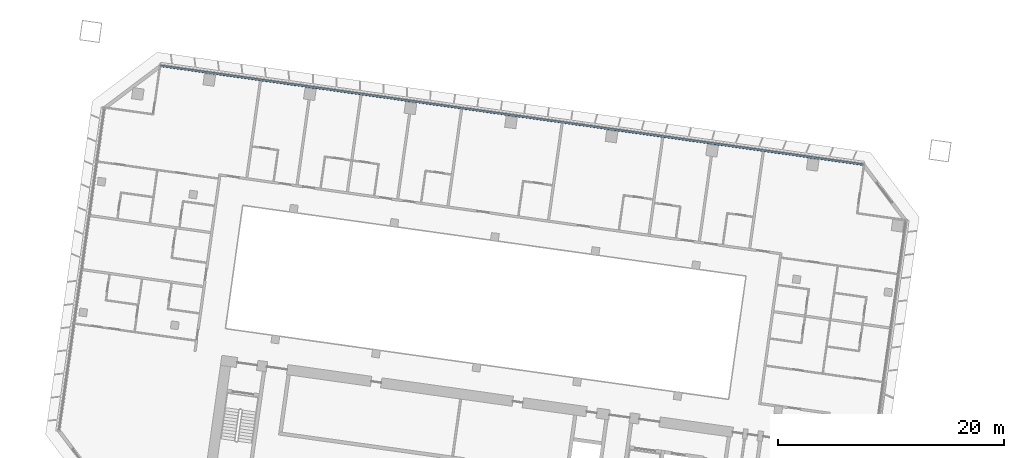
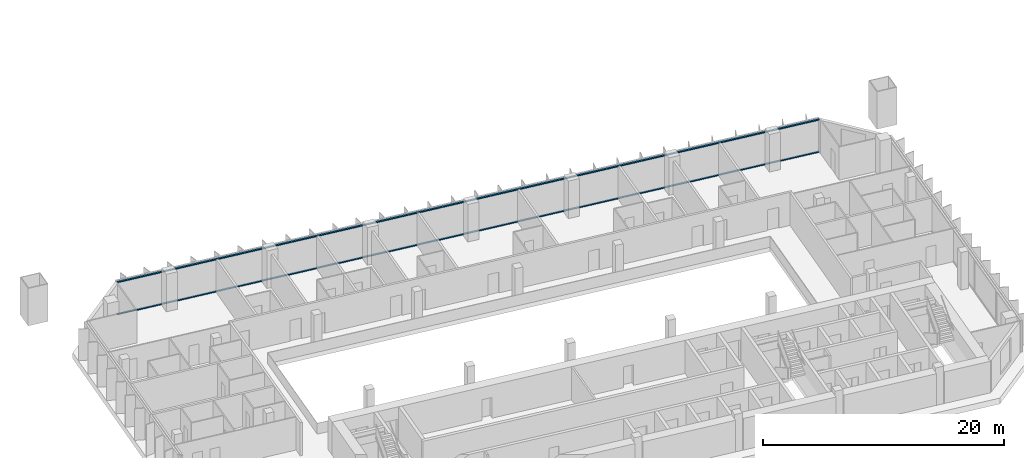
# One storey, part 4 of 25: 2 members, 1 element without a shape of its own.
"""IFC4 building model written with IfcOpenShell, lengths in metres."""

from ifc_helpers import new_model, si_unit, direction, frame, origin, origin_2d, place, context, subcontext, project, spatial, rectangle, extrude, material, material_profile, profile_set, type_object, element, aggregate, save


model = new_model("IFC4")

# Units and contexts
model_context = context("Model", 3, precision=1e-05, world=origin(), true_north=direction((0.0, 1.0)))
body_context = subcontext(model_context, "Body", "Model", "MODEL_VIEW")
ifc_project = project(units=[si_unit("LENGTHUNIT", "METRE"), si_unit("AREAUNIT", "SQUARE_METRE"), si_unit("VOLUMEUNIT", "CUBIC_METRE"), si_unit("PLANEANGLEUNIT", "RADIAN"), si_unit("MASSUNIT", "GRAM", prefix="KILO")], contexts=[model_context])

# Site, building, storey
site_placement = place(None, origin())
site = spatial("IfcSite", under=ifc_project, at=site_placement, CompositionType="ELEMENT")
building_placement = place(site_placement, origin())
building = spatial("IfcBuilding", under=site, at=building_placement, Name="Mirante Cascada Hotel Towers", CompositionType="ELEMENT")
storey_placement = place(building_placement, frame((0.0, 0.0, 73.7)))
storey = spatial("IfcBuildingStorey", under=building, at=storey_placement, Name="L15", CompositionType="ELEMENT", Elevation=73.7)

# Curtain wall, members
ifc_material_1 = material(Name="Aluminium mullion and transom frame with clear laminated glass", Category="aluminium")
curtain_wall_type = type_object("IfcCurtainWallType", Name="Ribbon curtain wall ECW1", PredefinedType="NOTDEFINED", material=ifc_material_1)
curtain_wall_placement = place(storey_placement, origin())
curtain_wall = element("IfcCurtainWall", 1, at=curtain_wall_placement, inside=storey, type_object=curtain_wall_type, Name="Front ribbon wall T1 L15", PredefinedType="NOTDEFINED")
ifc_material_2 = material(Name="Anodised aluminium extrusion", Category="aluminium")
ifc_material_profile = material_profile(ifc_material_2, rectangle(XDim=0.16, YDim=0.1, at=origin_2d()), Name="ECW1 TRANSOM 100x160")
ifc_profile_set = profile_set([ifc_material_profile], Name="Anodised aluminium extrusion")
member_type = type_object("IfcMemberType", Name="ECW1 transom 100x160", PredefinedType="USERDEFINED", material=ifc_profile_set)
member_1_placement = place(storey_placement, frame((-94.1582, 26.0521, 0.05), z_axis=(0.9902681, -0.1391728, 0.0), x_axis=(0.1391728, 0.9902681, 0.0)))
member_1 = element("IfcMember", 2, at=member_1_placement, type_object=member_type, Name="ECW1 sill transom", ObjectType="TRANSOM", PredefinedType="USERDEFINED", context=body_context, shape_type="SweptSolid", body=[
    extrude(rectangle(XDim=0.16, YDim=0.1, at=origin_2d()), origin(), (0.0, 0.0, 1.0), 62.8758),
])
member_2_placement = place(storey_placement, frame((-94.1582, 26.0521, 3.3), z_axis=(0.9902681, -0.1391728, 0.0), x_axis=(0.1391728, 0.9902681, 0.0)))
member_2 = element("IfcMember", 3, at=member_2_placement, type_object=member_type, Name="ECW1 head transom", ObjectType="TRANSOM", PredefinedType="USERDEFINED", context=body_context, shape_type="SweptSolid", body=[
    extrude(rectangle(XDim=0.16, YDim=0.1, at=origin_2d()), origin(), (0.0, 0.0, 1.0), 62.8758),
])
aggregate(curtain_wall, [member_1, member_2])

save(model, "model.ifc")
